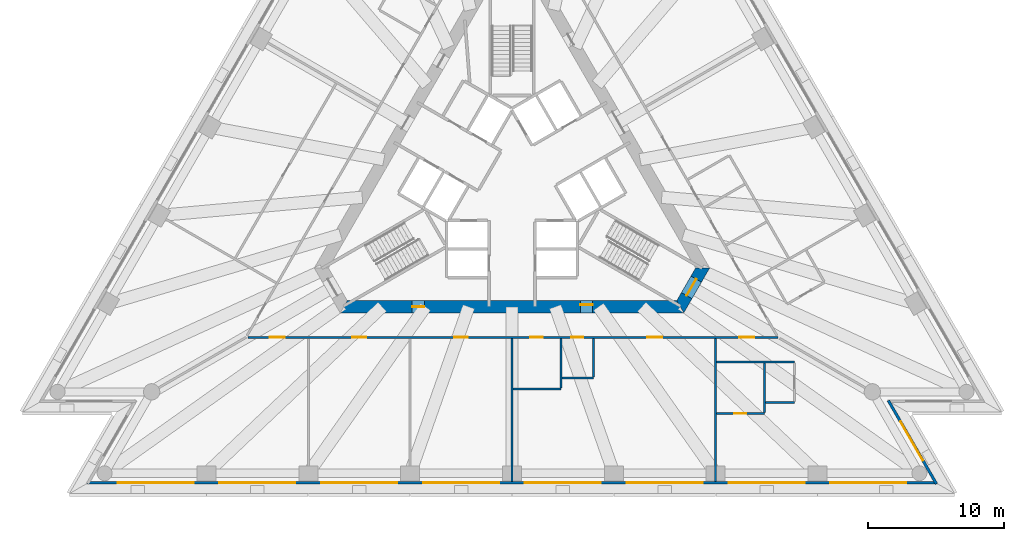
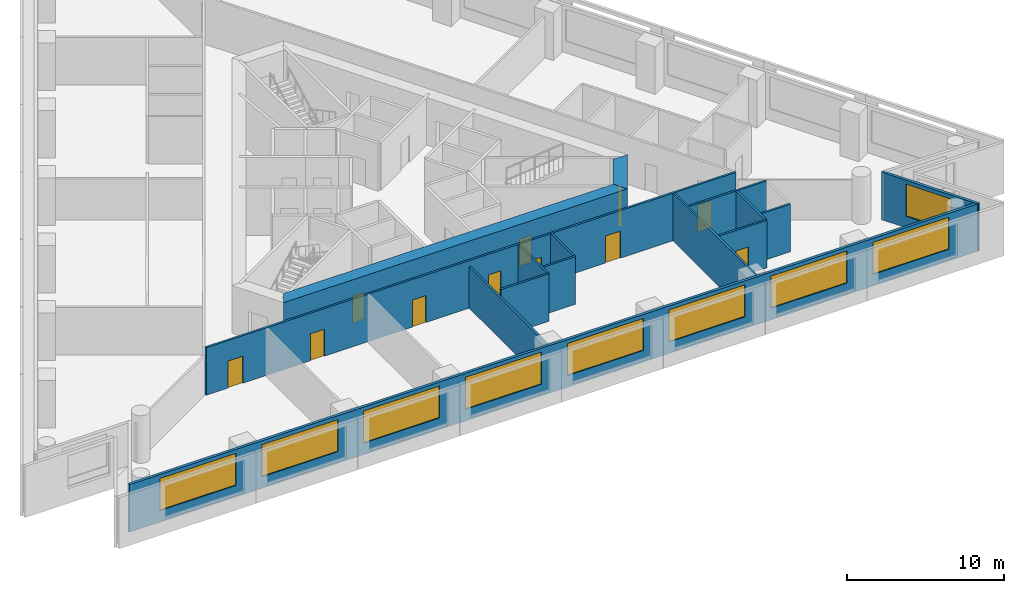
# One storey, part 4 of 9: 15 walls, 11 doors, 9 windows, 20 openings.
"""IFC4 building model written with IfcOpenShell, lengths in metres."""

from ifc_helpers import new_model, si_unit, direction, frame, frame_2d, origin, place, context, subcontext, project, spatial, polyline, rectangle, outline, extrude, material, layer, layer_set, layer_usage, type_object, element, fill, save


model = new_model("IFC4")

# Units and contexts
model_context = context("Model", 3, precision=1e-05, world=origin(), true_north=direction((0.0, 1.0)))
body_context = subcontext(model_context, "Body", "Model", "MODEL_VIEW")
ifc_project = project(units=[si_unit("LENGTHUNIT", "METRE"), si_unit("AREAUNIT", "SQUARE_METRE"), si_unit("VOLUMEUNIT", "CUBIC_METRE"), si_unit("PLANEANGLEUNIT", "RADIAN"), si_unit("MASSUNIT", "GRAM", prefix="KILO")], contexts=[model_context])

# Site, building, storey
site_placement = place(None, origin())
site = spatial("IfcSite", under=ifc_project, at=site_placement, CompositionType="ELEMENT")
building_placement = place(site_placement, origin())
building = spatial("IfcBuilding", under=site, at=building_placement, Name="Triada Interchange Tower", CompositionType="ELEMENT")
storey_placement = place(building_placement, frame((0.0, 0.0, 51.300048828125)))
storey = spatial("IfcBuildingStorey", under=building, at=storey_placement, Name="L10", CompositionType="ELEMENT", Elevation=51.300048828125)

# Wall, openings, doors
ifc_material_1 = material(Name="Concrete C70/85", Category="concrete")
ifc_layer_1 = layer(ifc_material_1, 0.89990234375)
ifc_layer_set_1 = layer_set([ifc_layer_1], Name="Core wall A 900")
wall_type_1 = type_object("IfcWallType", Name="Core wall A 900", PredefinedType="SHEAR", material=ifc_layer_set_1)
wall_1_placement = place(storey_placement, frame((-12.384033203125, -9.050048828125, -0.300048828125), z_axis=(0.0, 0.0, 1.0), x_axis=(1.0, 0.0, 0.0)))
wall_1 = element("IfcWall", 1, at=wall_1_placement, inside=storey, type_object=wall_type_1, Name="Core wall WA04 L10", PredefinedType="SHEAR", context=body_context, shape_type="SweptSolid", body=[
    extrude(outline(polyline([(-0.260009765625, -0.449951171875), (1.685302734375, -0.449951171875), (3.63037109375, -0.449951171875), (5.57568359375, -0.449951171875), (7.52099609375, -0.449951171875), (9.466064453125, -0.449951171875), (11.411376953125, -0.449951171875), (13.356689453125, -0.449951171875), (15.302001953125, -0.449951171875), (17.2470703125, -0.449951171875), (19.1923828125, -0.449951171875), (21.1376953125, -0.449951171875), (23.082763671875, -0.449951171875), (25.028076171875, -0.449951171875), (24.508056640625, 0.449951171875), (22.642822265625, 0.449951171875), (20.777587890625, 0.449951171875), (18.912353515625, 0.449951171875), (17.047119140625, 0.449951171875), (15.181884765625, 0.449951171875), (13.316650390625, 0.449951171875), (11.451416015625, 0.449951171875), (9.586181640625, 0.449951171875), (7.720947265625, 0.449951171875), (5.855712890625, 0.449951171875), (3.990478515625, 0.449951171875), (2.125244140625, 0.449951171875), (0.260009765625, 0.449951171875), (-0.260009765625, -0.449951171875)])), origin(), (0.0, 0.0, 1.0), 4.0),
])
opening_1_placement = place(wall_1_placement, frame((5.0400390625, 0.0, 0.300048828125)))
opening_1 = element("IfcOpeningElement", 2, at=opening_1_placement, cuts=wall_1, Name="Opening D09-40", PredefinedType="OPENING", context=body_context, shape_type="SweptSolid", body=[
    extrude(rectangle(XDim=0.89990234375, YDim=2.10009765625, at=frame_2d((0.449951171875, 1.050048828125))), frame((0.0, 0.4599609375, 0.0), z_axis=(0.0, -1.0, 0.0), x_axis=(1.0, 0.0, 0.0)), (0.0, 0.0, 1.0), 0.919921875),
])
opening_2_placement = place(wall_1_placement, frame((17.425048828125, 0.0, 0.300048828125)))
opening_2 = element("IfcOpeningElement", 3, at=opening_2_placement, cuts=wall_1, Name="Opening D09-41", PredefinedType="OPENING", context=body_context, shape_type="SweptSolid", body=[
    extrude(rectangle(XDim=0.89990234375, YDim=2.10009765625, at=frame_2d((0.449951171875, 1.050048828125))), frame((0.0, 0.4599609375, 0.0), z_axis=(0.0, -1.0, 0.0), x_axis=(1.0, 0.0, 0.0)), (0.0, 0.0, 1.0), 0.919921875),
])
ifc_material_2 = material(Name="Steel S235 door leaf", Category="steel")
door_type_1 = type_object("IfcDoorType", Name="SERVICE DOOR 900 EI2 45-C5S200", OperationType="NOTDEFINED", PredefinedType="DOOR", material=ifc_material_2)
door_1_placement = place(opening_1_placement, origin())
door_1 = element("IfcDoor", 4, at=door_1_placement, inside=storey, type_object=door_type_1, Name="Door D09-40 L10", OperationType="SINGLE_SWING_LEFT", OverallHeight=2.10009765625, OverallWidth=0.89990234375, PredefinedType="DOOR", context=body_context, shape_type="SweptSolid", body=[
    extrude(rectangle(XDim=0.89990234375, YDim=2.10009765625, at=frame_2d((0.449951171875, 1.050048828125))), frame((0.0, 0.02490234375, 0.0), z_axis=(0.0, -1.0, 0.0), x_axis=(1.0, 0.0, 0.0)), (0.0, 0.0, 1.0), 0.050048828125),
])
fill(opening_1, door_1)
door_2_placement = place(opening_2_placement, origin())
door_2 = element("IfcDoor", 5, at=door_2_placement, inside=storey, type_object=door_type_1, Name="Door D09-41 L10", OperationType="SINGLE_SWING_LEFT", OverallHeight=2.10009765625, OverallWidth=0.89990234375, PredefinedType="DOOR", context=body_context, shape_type="SweptSolid", body=[
    extrude(rectangle(XDim=0.89990234375, YDim=2.10009765625, at=frame_2d((0.449951171875, 1.050048828125))), frame((0.0, 0.1748046875, 0.0), z_axis=(0.0, -1.0, 0.0), x_axis=(1.0, 0.0, 0.0)), (0.0, 0.0, 1.0), 0.050048828125),
])
fill(opening_2, door_2)

# Wall, opening, door
wall_2_placement = place(storey_placement, frame((12.384033203125, -9.050048828125, -0.300048828125), z_axis=(0.0, 0.0, 1.0), x_axis=(0.500111984565, 0.865960739811, 0.0)))
wall_2 = element("IfcWall", 6, at=wall_2_placement, inside=storey, type_object=wall_type_1, Name="Core wall WA05 L10", PredefinedType="SHEAR", context=body_context, shape_type="SweptSolid", body=[
    extrude(outline(polyline([(-0.260009765625, -0.449951171875), (1.6455078125, -0.449462890625), (3.551025390625, -0.448974609375), (3.031005859375, 0.449951171875), (1.6455078125, 0.449951171875), (0.260009765625, 0.449951171875), (-0.260009765625, -0.449951171875)])), origin(), (0.0, 0.0, 1.0), 4.0),
])
opening_3_placement = place(wall_2_placement, frame((0.946044921875, 0.0, 0.300048828125)))
opening_3 = element("IfcOpeningElement", 7, at=opening_3_placement, cuts=wall_2, Name="Opening D09-38", PredefinedType="OPENING", context=body_context, shape_type="SweptSolid", body=[
    extrude(rectangle(XDim=1.39990234375, YDim=2.10009765625, at=frame_2d((0.699951171875, 1.050048828125))), frame((0.0, 0.4599609375, 0.0), z_axis=(0.0, -1.0, 0.0), x_axis=(1.0, 0.0, 0.0)), (0.0, 0.0, 1.0), 0.919921875),
])
door_type_2 = type_object("IfcDoorType", Name="STAIR DOOR 1400 EI2 90-C5S200", OperationType="DOUBLE_DOOR_SINGLE_SWING", PredefinedType="DOOR", material=ifc_material_2)
door_3_placement = place(opening_3_placement, origin())
door_3 = element("IfcDoor", 8, at=door_3_placement, inside=storey, type_object=door_type_2, Name="Door D09-38 L10", OperationType="DOUBLE_DOOR_SINGLE_SWING", OverallHeight=2.10009765625, OverallWidth=1.39990234375, PredefinedType="DOOR", context=body_context, shape_type="SweptSolid", body=[
    extrude(rectangle(XDim=1.39990234375, YDim=2.10009765625, at=frame_2d((0.699951171875, 1.050048828125))), frame((0.0, 0.02490234375, 0.0), z_axis=(0.0, -1.0, 0.0), x_axis=(1.0, 0.0, 0.0)), (0.0, 0.0, 1.0), 0.050048828125),
])
fill(opening_3, door_3)

# Wall, openings, windows
ifc_material_3 = material(Name="Cement board")
ifc_layer_2 = layer(ifc_material_3, 0.02001953125, Name="Cement board cladding")
ifc_material_4 = material(Name="Sheathing board")
ifc_layer_3 = layer(ifc_material_4, 0.014892578125, Name="Sheathing board")
ifc_material_5 = material(Name="Mineral wool")
ifc_layer_4 = layer(ifc_material_5, 0.14990234375, Name="Mineral wool between steel studs")
ifc_material_6 = material(Name="Gypsum board")
ifc_layer_5 = layer(ifc_material_6, 0.014892578125, Name="Plasterboard lining")
ifc_layer_set_2 = layer_set([ifc_layer_2, ifc_layer_3, ifc_layer_4, ifc_layer_5], Name="External wall 200")
ifc_layer_usage = layer_usage(ifc_layer_set_2, "AXIS2", "POSITIVE", -0.10009765625)
wall_type_2 = type_object("IfcWallType", Name="External wall 200", PredefinedType="ELEMENTEDWALL", material=ifc_layer_set_2)
wall_3_placement = place(storey_placement, frame((-31.283935546875, -22.007080078125, 0.0), z_axis=(0.0, 0.0, 1.0), x_axis=(1.0, 0.0, 0.0)))
wall_3 = element("IfcWall", 9, at=wall_3_placement, inside=storey, type_object=wall_type_2, material=ifc_layer_usage, Name="External wall L10 S", PredefinedType="ELEMENTEDWALL", context=body_context, shape_type="SweptSolid", body=[
    extrude(rectangle(XDim=62.5478515625, YDim=0.199951171875, at=frame_2d((31.27392578125, 0.0))), origin(), (0.0, 0.0, 1.0), 3.699951171875),
])
opening_4_placement = place(wall_3_placement, frame((2.2509765625, 0.0, 0.89990234375)))
opening_4 = element("IfcOpeningElement", 10, at=opening_4_placement, cuts=wall_3, Name="Opening WA11", PredefinedType="OPENING", context=body_context, shape_type="SweptSolid", body=[
    extrude(rectangle(XDim=5.60009765625, YDim=2.5, at=frame_2d((2.800048828125, 1.25))), frame((0.0, 0.10986328125, 0.0), z_axis=(0.0, -1.0, 0.0), x_axis=(1.0, 0.0, 0.0)), (0.0, 0.0, 1.0), 0.219970703125),
])
opening_5_placement = place(wall_3_placement, frame((9.74609375, 0.0, 0.89990234375)))
opening_5 = element("IfcOpeningElement", 11, at=opening_5_placement, cuts=wall_3, Name="Opening WA12", PredefinedType="OPENING", context=body_context, shape_type="SweptSolid", body=[
    extrude(rectangle(XDim=5.60009765625, YDim=2.5, at=frame_2d((2.800048828125, 1.25))), frame((0.0, 0.10986328125, 0.0), z_axis=(0.0, -1.0, 0.0), x_axis=(1.0, 0.0, 0.0)), (0.0, 0.0, 1.0), 0.219970703125),
])
opening_6_placement = place(wall_3_placement, frame((17.240966796875, 0.0, 0.89990234375)))
opening_6 = element("IfcOpeningElement", 12, at=opening_6_placement, cuts=wall_3, Name="Opening WA13", PredefinedType="OPENING", context=body_context, shape_type="SweptSolid", body=[
    extrude(rectangle(XDim=5.60009765625, YDim=2.5, at=frame_2d((2.800048828125, 1.25))), frame((0.0, 0.10986328125, 0.0), z_axis=(0.0, -1.0, 0.0), x_axis=(1.0, 0.0, 0.0)), (0.0, 0.0, 1.0), 0.219970703125),
])
opening_7_placement = place(wall_3_placement, frame((24.736083984375, 0.0, 0.89990234375)))
opening_7 = element("IfcOpeningElement", 13, at=opening_7_placement, cuts=wall_3, Name="Opening WA14", PredefinedType="OPENING", context=body_context, shape_type="SweptSolid", body=[
    extrude(rectangle(XDim=5.60009765625, YDim=2.5, at=frame_2d((2.800048828125, 1.25))), frame((0.0, 0.10986328125, 0.0), z_axis=(0.0, -1.0, 0.0), x_axis=(1.0, 0.0, 0.0)), (0.0, 0.0, 1.0), 0.219970703125),
])
opening_8_placement = place(wall_3_placement, frame((32.23193359375, 0.0, 0.89990234375)))
opening_8 = element("IfcOpeningElement", 14, at=opening_8_placement, cuts=wall_3, Name="Opening WA15", PredefinedType="OPENING", context=body_context, shape_type="SweptSolid", body=[
    extrude(rectangle(XDim=5.60009765625, YDim=2.5, at=frame_2d((2.800048828125, 1.25))), frame((0.0, 0.10986328125, 0.0), z_axis=(0.0, -1.0, 0.0), x_axis=(1.0, 0.0, 0.0)), (0.0, 0.0, 1.0), 0.219970703125),
])
opening_9_placement = place(wall_3_placement, frame((39.72705078125, 0.0, 0.89990234375)))
opening_9 = element("IfcOpeningElement", 15, at=opening_9_placement, cuts=wall_3, Name="Opening WA16", PredefinedType="OPENING", context=body_context, shape_type="SweptSolid", body=[
    extrude(rectangle(XDim=5.60009765625, YDim=2.5, at=frame_2d((2.800048828125, 1.25))), frame((0.0, 0.10986328125, 0.0), z_axis=(0.0, -1.0, 0.0), x_axis=(1.0, 0.0, 0.0)), (0.0, 0.0, 1.0), 0.219970703125),
])
opening_10_placement = place(wall_3_placement, frame((47.221923828125, 0.0, 0.89990234375)))
opening_10 = element("IfcOpeningElement", 16, at=opening_10_placement, cuts=wall_3, Name="Opening WA17", PredefinedType="OPENING", context=body_context, shape_type="SweptSolid", body=[
    extrude(rectangle(XDim=5.60009765625, YDim=2.5, at=frame_2d((2.800048828125, 1.25))), frame((0.0, 0.10986328125, 0.0), z_axis=(0.0, -1.0, 0.0), x_axis=(1.0, 0.0, 0.0)), (0.0, 0.0, 1.0), 0.219970703125),
])
opening_11_placement = place(wall_3_placement, frame((54.717041015625, 0.0, 0.89990234375)))
opening_11 = element("IfcOpeningElement", 17, at=opening_11_placement, cuts=wall_3, Name="Opening WA18", PredefinedType="OPENING", context=body_context, shape_type="SweptSolid", body=[
    extrude(rectangle(XDim=5.60009765625, YDim=2.5, at=frame_2d((2.800048828125, 1.25))), frame((0.0, 0.10986328125, 0.0), z_axis=(0.0, -1.0, 0.0), x_axis=(1.0, 0.0, 0.0)), (0.0, 0.0, 1.0), 0.219970703125),
])
ifc_material_7 = material(Name="Double glazed aluminium window", Category="aluminium")
window_type_1 = type_object("IfcWindowType", Name="Ribbon window A face", PartitioningType="SINGLE_PANEL", PredefinedType="WINDOW", material=ifc_material_7)
window_1_placement = place(opening_4_placement, origin())
window_1 = element("IfcWindow", 18, at=window_1_placement, inside=storey, type_object=window_type_1, Name="Window L10 S 1", OverallHeight=2.5, OverallWidth=5.60009765625, PartitioningType="SINGLE_PANEL", PredefinedType="WINDOW", context=body_context, shape_type="SweptSolid", body=[
    extrude(rectangle(XDim=5.60009765625, YDim=2.5, at=frame_2d((2.800048828125, 1.25))), frame((0.0, 0.030029296875, 0.0), z_axis=(0.0, -1.0, 0.0), x_axis=(1.0, 0.0, 0.0)), (0.0, 0.0, 1.0), 0.06005859375),
])
fill(opening_4, window_1)
window_2_placement = place(opening_5_placement, origin())
window_2 = element("IfcWindow", 19, at=window_2_placement, inside=storey, type_object=window_type_1, Name="Window L10 S 2", OverallHeight=2.5, OverallWidth=5.60009765625, PartitioningType="SINGLE_PANEL", PredefinedType="WINDOW", context=body_context, shape_type="SweptSolid", body=[
    extrude(rectangle(XDim=5.60009765625, YDim=2.5, at=frame_2d((2.800048828125, 1.25))), frame((0.0, 0.030029296875, 0.0), z_axis=(0.0, -1.0, 0.0), x_axis=(1.0, 0.0, 0.0)), (0.0, 0.0, 1.0), 0.06005859375),
])
fill(opening_5, window_2)
window_3_placement = place(opening_6_placement, origin())
window_3 = element("IfcWindow", 20, at=window_3_placement, inside=storey, type_object=window_type_1, Name="Window L10 S 3", OverallHeight=2.5, OverallWidth=5.60009765625, PartitioningType="SINGLE_PANEL", PredefinedType="WINDOW", context=body_context, shape_type="SweptSolid", body=[
    extrude(rectangle(XDim=5.60009765625, YDim=2.5, at=frame_2d((2.800048828125, 1.25))), frame((0.0, 0.030029296875, 0.0), z_axis=(0.0, -1.0, 0.0), x_axis=(1.0, 0.0, 0.0)), (0.0, 0.0, 1.0), 0.06005859375),
])
fill(opening_6, window_3)
window_4_placement = place(opening_7_placement, origin())
window_4 = element("IfcWindow", 21, at=window_4_placement, inside=storey, type_object=window_type_1, Name="Window L10 S 4", OverallHeight=2.5, OverallWidth=5.60009765625, PartitioningType="SINGLE_PANEL", PredefinedType="WINDOW", context=body_context, shape_type="SweptSolid", body=[
    extrude(rectangle(XDim=5.60009765625, YDim=2.5, at=frame_2d((2.800048828125, 1.25))), frame((0.0, 0.030029296875, 0.0), z_axis=(0.0, -1.0, 0.0), x_axis=(1.0, 0.0, 0.0)), (0.0, 0.0, 1.0), 0.06005859375),
])
fill(opening_7, window_4)
window_5_placement = place(opening_8_placement, origin())
window_5 = element("IfcWindow", 22, at=window_5_placement, inside=storey, type_object=window_type_1, Name="Window L10 S 5", OverallHeight=2.5, OverallWidth=5.60009765625, PartitioningType="SINGLE_PANEL", PredefinedType="WINDOW", context=body_context, shape_type="SweptSolid", body=[
    extrude(rectangle(XDim=5.60009765625, YDim=2.5, at=frame_2d((2.800048828125, 1.25))), frame((0.0, 0.030029296875, 0.0), z_axis=(0.0, -1.0, 0.0), x_axis=(1.0, 0.0, 0.0)), (0.0, 0.0, 1.0), 0.06005859375),
])
fill(opening_8, window_5)
window_6_placement = place(opening_9_placement, origin())
window_6 = element("IfcWindow", 23, at=window_6_placement, inside=storey, type_object=window_type_1, Name="Window L10 S 6", OverallHeight=2.5, OverallWidth=5.60009765625, PartitioningType="SINGLE_PANEL", PredefinedType="WINDOW", context=body_context, shape_type="SweptSolid", body=[
    extrude(rectangle(XDim=5.60009765625, YDim=2.5, at=frame_2d((2.800048828125, 1.25))), frame((0.0, 0.030029296875, 0.0), z_axis=(0.0, -1.0, 0.0), x_axis=(1.0, 0.0, 0.0)), (0.0, 0.0, 1.0), 0.06005859375),
])
fill(opening_9, window_6)
window_7_placement = place(opening_10_placement, origin())
window_7 = element("IfcWindow", 24, at=window_7_placement, inside=storey, type_object=window_type_1, Name="Window L10 S 7", OverallHeight=2.5, OverallWidth=5.60009765625, PartitioningType="SINGLE_PANEL", PredefinedType="WINDOW", context=body_context, shape_type="SweptSolid", body=[
    extrude(rectangle(XDim=5.60009765625, YDim=2.5, at=frame_2d((2.800048828125, 1.25))), frame((0.0, 0.030029296875, 0.0), z_axis=(0.0, -1.0, 0.0), x_axis=(1.0, 0.0, 0.0)), (0.0, 0.0, 1.0), 0.06005859375),
])
fill(opening_10, window_7)
window_8_placement = place(opening_11_placement, origin())
window_8 = element("IfcWindow", 25, at=window_8_placement, inside=storey, type_object=window_type_1, Name="Window L10 S 8", OverallHeight=2.5, OverallWidth=5.60009765625, PartitioningType="SINGLE_PANEL", PredefinedType="WINDOW", context=body_context, shape_type="SweptSolid", body=[
    extrude(rectangle(XDim=5.60009765625, YDim=2.5, at=frame_2d((2.800048828125, 1.25))), frame((0.0, 0.030029296875, 0.0), z_axis=(0.0, -1.0, 0.0), x_axis=(1.0, 0.0, 0.0)), (0.0, 0.0, 1.0), 0.06005859375),
])
fill(opening_11, window_8)

# Wall, opening, window
wall_4_placement = place(storey_placement, frame((31.239013671875, -22.0849609375, 0.0), z_axis=(0.0, 0.0, 1.0), x_axis=(-0.499993928037, 0.866028909405, 0.0)))
wall_4 = element("IfcWall", 26, at=wall_4_placement, inside=storey, type_object=wall_type_2, material=ifc_layer_usage, Name="External wall L10 SE-1", PredefinedType="ELEMENTEDWALL", context=body_context, shape_type="SweptSolid", body=[
    extrude(rectangle(XDim=7.083984375, YDim=0.199951171875, at=frame_2d((3.5419921875, 0.0))), origin(), (0.0, 0.0, 1.0), 3.699951171875),
])
opening_12_placement = place(wall_4_placement, frame((1.989990234375, 0.0, 0.89990234375)))
opening_12 = element("IfcOpeningElement", 27, at=opening_12_placement, cuts=wall_4, Name="Opening WA19", PredefinedType="OPENING", context=body_context, shape_type="SweptSolid", body=[
    extrude(rectangle(XDim=3.300048828125, YDim=2.5, at=frame_2d((1.64990234375, 1.25))), frame((0.0, 0.10986328125, 0.0), z_axis=(0.0, -1.0, 0.0), x_axis=(1.0, 0.0, 0.0)), (0.0, 0.0, 1.0), 0.219970703125),
])
window_type_2 = type_object("IfcWindowType", Name="Ribbon window A pocket", PartitioningType="SINGLE_PANEL", PredefinedType="WINDOW", material=ifc_material_7)
window_9_placement = place(opening_12_placement, origin())
window_9 = element("IfcWindow", 28, at=window_9_placement, inside=storey, type_object=window_type_2, Name="Window L10 SE-1 1", OverallHeight=2.5, OverallWidth=3.300048828125, PartitioningType="SINGLE_PANEL", PredefinedType="WINDOW", context=body_context, shape_type="SweptSolid", body=[
    extrude(rectangle(XDim=3.300048828125, YDim=2.5, at=frame_2d((1.64990234375, 1.25))), frame((0.0, 0.030029296875, 0.0), z_axis=(0.0, -1.0, 0.0), x_axis=(1.0, 0.0, 0.0)), (0.0, 0.0, 1.0), 0.06005859375),
])
fill(opening_12, window_9)

# Wall, openings, doors
ifc_material_8 = material(Name="Gypsum board partition")
ifc_layer_6 = layer(ifc_material_8, 0.14990234375)
ifc_layer_set_3 = layer_set([ifc_layer_6], Name="PARTITION 150 EI 180")
wall_type_3 = type_object("IfcWallType", Name="PARTITION 150 EI 180", PredefinedType="PARTITIONING", material=ifc_layer_set_3)
wall_5_placement = place(storey_placement, frame((-19.422119140625, -11.300048828125, 0.0), z_axis=(0.0, 0.0, 1.0), x_axis=(1.0, 0.0, 0.0)))
wall_5 = element("IfcWall", 29, at=wall_5_placement, inside=storey, type_object=wall_type_3, Name="Wall L09 5", PredefinedType="PARTITIONING", context=body_context, shape_type="SweptSolid", body=[
    extrude(rectangle(XDim=38.994140625, YDim=0.14990234375, at=frame_2d((19.4970703125, 0.0))), origin(), (0.0, 0.0, 1.0), 3.699951171875),
])
opening_13_placement = place(wall_5_placement, frame((1.60009765625, 0.0, 0.0)))
opening_13 = element("IfcOpeningElement", 30, at=opening_13_placement, cuts=wall_5, Name="Opening D09-11", PredefinedType="OPENING", context=body_context, shape_type="SweptSolid", body=[
    extrude(rectangle(XDim=1.10009765625, YDim=2.10009765625, at=frame_2d((0.550048828125, 1.050048828125))), frame((0.0, 0.0849609375, 0.0), z_axis=(0.0, -1.0, 0.0), x_axis=(1.0, 0.0, 0.0)), (0.0, 0.0, 1.0), 0.169921875),
])
opening_14_placement = place(wall_5_placement, frame((7.681884765625, 0.0, 0.0)))
opening_14 = element("IfcOpeningElement", 31, at=opening_14_placement, cuts=wall_5, Name="Opening D09-12", PredefinedType="OPENING", context=body_context, shape_type="SweptSolid", body=[
    extrude(rectangle(XDim=1.0, YDim=2.10009765625, at=frame_2d((0.5, 1.050048828125))), frame((0.0, 0.0849609375, 0.0), z_axis=(0.0, -1.0, 0.0), x_axis=(1.0, 0.0, 0.0)), (0.0, 0.0, 1.0), 0.169921875),
])
opening_15_placement = place(wall_5_placement, frame((15.177001953125, 0.0, 0.0)))
opening_15 = element("IfcOpeningElement", 32, at=opening_15_placement, cuts=wall_5, Name="Opening D09-13", PredefinedType="OPENING", context=body_context, shape_type="SweptSolid", body=[
    extrude(rectangle(XDim=1.0, YDim=2.10009765625, at=frame_2d((0.5, 1.050048828125))), frame((0.0, 0.0849609375, 0.0), z_axis=(0.0, -1.0, 0.0), x_axis=(1.0, 0.0, 0.0)), (0.0, 0.0, 1.0), 0.169921875),
])
opening_16_placement = place(wall_5_placement, frame((29.3720703125, 0.0, 0.0)))
opening_16 = element("IfcOpeningElement", 33, at=opening_16_placement, cuts=wall_5, Name="Opening D09-14", PredefinedType="OPENING", context=body_context, shape_type="SweptSolid", body=[
    extrude(rectangle(XDim=1.10009765625, YDim=2.10009765625, at=frame_2d((0.550048828125, 1.050048828125))), frame((0.0, 0.0849609375, 0.0), z_axis=(0.0, -1.0, 0.0), x_axis=(1.0, 0.0, 0.0)), (0.0, 0.0, 1.0), 0.169921875),
])
opening_17_placement = place(wall_5_placement, frame((20.77197265625, 0.0, 0.0)))
opening_17 = element("IfcOpeningElement", 34, at=opening_17_placement, cuts=wall_5, Name="Opening D09-15", PredefinedType="OPENING", context=body_context, shape_type="SweptSolid", body=[
    extrude(rectangle(XDim=0.89990234375, YDim=2.10009765625, at=frame_2d((0.449951171875, 1.050048828125))), frame((0.0, 0.0849609375, 0.0), z_axis=(0.0, -1.0, 0.0), x_axis=(1.0, 0.0, 0.0)), (0.0, 0.0, 1.0), 0.169921875),
])
opening_18_placement = place(wall_5_placement, frame((23.77197265625, 0.0, 0.0)))
opening_18 = element("IfcOpeningElement", 35, at=opening_18_placement, cuts=wall_5, Name="Opening D09-16", PredefinedType="OPENING", context=body_context, shape_type="SweptSolid", body=[
    extrude(rectangle(XDim=0.89990234375, YDim=2.10009765625, at=frame_2d((0.449951171875, 1.050048828125))), frame((0.0, 0.0849609375, 0.0), z_axis=(0.0, -1.0, 0.0), x_axis=(1.0, 0.0, 0.0)), (0.0, 0.0, 1.0), 0.169921875),
])
opening_19_placement = place(wall_5_placement, frame((36.1630859375, 0.0, 0.0)))
opening_19 = element("IfcOpeningElement", 36, at=opening_19_placement, cuts=wall_5, Name="Opening D09-17", PredefinedType="OPENING", context=body_context, shape_type="SweptSolid", body=[
    extrude(rectangle(XDim=1.10009765625, YDim=2.10009765625, at=frame_2d((0.550048828125, 1.050048828125))), frame((0.0, 0.0849609375, 0.0), z_axis=(0.0, -1.0, 0.0), x_axis=(1.0, 0.0, 0.0)), (0.0, 0.0, 1.0), 0.169921875),
])
door_type_3 = type_object("IfcDoorType", Name="ROOM DOOR 1000 EI2 90-C5S200", OperationType="NOTDEFINED", PredefinedType="DOOR", material=ifc_material_2)
door_4_placement = place(opening_14_placement, origin())
door_4 = element("IfcDoor", 37, at=door_4_placement, inside=storey, type_object=door_type_3, Name="Door D09-12 L10", OperationType="SINGLE_SWING_RIGHT", OverallHeight=2.10009765625, OverallWidth=1.0, PredefinedType="DOOR", context=body_context, shape_type="SweptSolid", body=[
    extrude(rectangle(XDim=1.0, YDim=2.10009765625, at=frame_2d((0.5, 1.050048828125))), frame((0.0, 0.02490234375, 0.0), z_axis=(0.0, -1.0, 0.0), x_axis=(1.0, 0.0, 0.0)), (0.0, 0.0, 1.0), 0.050048828125),
])
fill(opening_14, door_4)
door_5_placement = place(opening_15_placement, origin())
door_5 = element("IfcDoor", 38, at=door_5_placement, inside=storey, type_object=door_type_3, Name="Door D09-13 L10", OperationType="SINGLE_SWING_RIGHT", OverallHeight=2.10009765625, OverallWidth=1.0, PredefinedType="DOOR", context=body_context, shape_type="SweptSolid", body=[
    extrude(rectangle(XDim=1.0, YDim=2.10009765625, at=frame_2d((0.5, 1.050048828125))), frame((0.0, 0.02490234375, 0.0), z_axis=(0.0, -1.0, 0.0), x_axis=(1.0, 0.0, 0.0)), (0.0, 0.0, 1.0), 0.050048828125),
])
fill(opening_15, door_5)
door_type_4 = type_object("IfcDoorType", Name="ROOM DOOR 900 EI2 90-C5S200", OperationType="NOTDEFINED", PredefinedType="DOOR", material=ifc_material_2)
door_6_placement = place(opening_17_placement, origin())
door_6 = element("IfcDoor", 39, at=door_6_placement, inside=storey, type_object=door_type_4, Name="Door D09-15 L10", OperationType="SINGLE_SWING_RIGHT", OverallHeight=2.10009765625, OverallWidth=0.89990234375, PredefinedType="DOOR", context=body_context, shape_type="SweptSolid", body=[
    extrude(rectangle(XDim=0.89990234375, YDim=2.10009765625, at=frame_2d((0.449951171875, 1.050048828125))), frame((0.0, 0.02490234375, 0.0), z_axis=(0.0, -1.0, 0.0), x_axis=(1.0, 0.0, 0.0)), (0.0, 0.0, 1.0), 0.050048828125),
])
fill(opening_17, door_6)
door_7_placement = place(opening_18_placement, origin())
door_7 = element("IfcDoor", 40, at=door_7_placement, inside=storey, type_object=door_type_4, Name="Door D09-16 L10", OperationType="SINGLE_SWING_RIGHT", OverallHeight=2.10009765625, OverallWidth=0.89990234375, PredefinedType="DOOR", context=body_context, shape_type="SweptSolid", body=[
    extrude(rectangle(XDim=0.89990234375, YDim=2.10009765625, at=frame_2d((0.449951171875, 1.050048828125))), frame((0.0, 0.02490234375, 0.0), z_axis=(0.0, -1.0, 0.0), x_axis=(1.0, 0.0, 0.0)), (0.0, 0.0, 1.0), 0.050048828125),
])
fill(opening_18, door_7)
door_type_5 = type_object("IfcDoorType", Name="TENANCY ENTRANCE DOOR 1100 EI2 90-C5S200", OperationType="NOTDEFINED", PredefinedType="DOOR", material=ifc_material_2)
door_8_placement = place(opening_13_placement, origin())
door_8 = element("IfcDoor", 41, at=door_8_placement, inside=storey, type_object=door_type_5, Name="Door D09-11 L10", OperationType="SINGLE_SWING_RIGHT", OverallHeight=2.10009765625, OverallWidth=1.10009765625, PredefinedType="DOOR", context=body_context, shape_type="SweptSolid", body=[
    extrude(rectangle(XDim=1.10009765625, YDim=2.10009765625, at=frame_2d((0.550048828125, 1.050048828125))), frame((0.0, 0.02490234375, 0.0), z_axis=(0.0, -1.0, 0.0), x_axis=(1.0, 0.0, 0.0)), (0.0, 0.0, 1.0), 0.050048828125),
])
fill(opening_13, door_8)
door_9_placement = place(opening_16_placement, origin())
door_9 = element("IfcDoor", 42, at=door_9_placement, inside=storey, type_object=door_type_5, Name="Door D09-14 L10", OperationType="SINGLE_SWING_RIGHT", OverallHeight=2.10009765625, OverallWidth=1.10009765625, PredefinedType="DOOR", context=body_context, shape_type="SweptSolid", body=[
    extrude(rectangle(XDim=1.10009765625, YDim=2.10009765625, at=frame_2d((0.550048828125, 1.050048828125))), frame((0.0, 0.02490234375, 0.0), z_axis=(0.0, -1.0, 0.0), x_axis=(1.0, 0.0, 0.0)), (0.0, 0.0, 1.0), 0.050048828125),
])
fill(opening_16, door_9)
door_10_placement = place(opening_19_placement, origin())
door_10 = element("IfcDoor", 43, at=door_10_placement, inside=storey, type_object=door_type_5, Name="Door D09-17 L10", OperationType="SINGLE_SWING_LEFT", OverallHeight=2.10009765625, OverallWidth=1.10009765625, PredefinedType="DOOR", context=body_context, shape_type="SweptSolid", body=[
    extrude(rectangle(XDim=1.10009765625, YDim=2.10009765625, at=frame_2d((0.550048828125, 1.050048828125))), frame((0.0, 0.02490234375, 0.0), z_axis=(0.0, -1.0, 0.0), x_axis=(1.0, 0.0, 0.0)), (0.0, 0.0, 1.0), 0.050048828125),
])
fill(opening_19, door_10)

# Walls
wall_6_placement = place(storey_placement, frame((0.0, -21.927001953125, 0.0), z_axis=(0.0, 0.0, 1.0), x_axis=(0.0, 1.0, 0.0)))
element("IfcWall", 44, at=wall_6_placement, inside=storey, type_object=wall_type_3, Name="Wall L09 15", PredefinedType="PARTITIONING", context=body_context, shape_type="SweptSolid", body=[
    extrude(rectangle(XDim=10.552001953125, YDim=0.14990234375, at=frame_2d((5.27587890625, 0.0))), origin(), (0.0, 0.0, 1.0), 3.199951171875),
])
wall_7_placement = place(storey_placement, frame((0.074951171875, -15.10009765625, 0.0), z_axis=(0.0, 0.0, 1.0), x_axis=(1.0, 0.0, 0.0)))
element("IfcWall", 45, at=wall_7_placement, inside=storey, type_object=wall_type_3, Name="Wall L09 17", PredefinedType="PARTITIONING", context=body_context, shape_type="SweptSolid", body=[
    extrude(rectangle(XDim=3.525146484375, YDim=0.14990234375, at=frame_2d((1.7626953125, 0.0))), origin(), (0.0, 0.0, 1.0), 3.699951171875),
])
wall_8_placement = place(storey_placement, frame((3.60009765625, -15.02490234375, 0.0), z_axis=(0.0, 0.0, 1.0), x_axis=(0.0, 1.0, 0.0)))
element("IfcWall", 46, at=wall_8_placement, inside=storey, type_object=wall_type_3, Name="Wall L09 18", PredefinedType="PARTITIONING", context=body_context, shape_type="SweptSolid", body=[
    extrude(rectangle(XDim=3.64990234375, YDim=0.14990234375, at=frame_2d((1.824951171875, 0.0))), origin(), (0.0, 0.0, 1.0), 3.699951171875),
])
wall_9_placement = place(storey_placement, frame((3.675048828125, -14.300048828125, 0.0), z_axis=(0.0, 0.0, 1.0), x_axis=(1.0, 0.0, 0.0)))
element("IfcWall", 47, at=wall_9_placement, inside=storey, type_object=wall_type_3, Name="Wall L09 20", PredefinedType="PARTITIONING", context=body_context, shape_type="SweptSolid", body=[
    extrude(rectangle(XDim=2.324951171875, YDim=0.14990234375, at=frame_2d((1.16259765625, 0.0))), origin(), (0.0, 0.0, 1.0), 3.699951171875),
])
wall_10_placement = place(storey_placement, frame((6.0, -14.22509765625, 0.0), z_axis=(0.0, 0.0, 1.0), x_axis=(0.0, 1.0, 0.0)))
element("IfcWall", 48, at=wall_10_placement, inside=storey, type_object=wall_type_3, Name="Wall L09 21", PredefinedType="PARTITIONING", context=body_context, shape_type="SweptSolid", body=[
    extrude(rectangle(XDim=2.85009765625, YDim=0.14990234375, at=frame_2d((1.425048828125, 0.0))), origin(), (0.0, 0.0, 1.0), 3.699951171875),
])
wall_11_placement = place(storey_placement, frame((14.990966796875, -21.927001953125, 0.0), z_axis=(0.0, 0.0, 1.0), x_axis=(0.0, 1.0, 0.0)))
element("IfcWall", 49, at=wall_11_placement, inside=storey, type_object=wall_type_3, Name="Wall L09 25", PredefinedType="PARTITIONING", context=body_context, shape_type="SweptSolid", body=[
    extrude(rectangle(XDim=10.552001953125, YDim=0.14990234375, at=frame_2d((5.27587890625, 0.0))), origin(), (0.0, 0.0, 1.0), 3.699951171875),
])

# Wall, opening, door
ifc_layer_7 = layer(ifc_material_8, 0.14990234375)
ifc_layer_set_4 = layer_set([ifc_layer_7], Name="PARTITION 150 EI 90")
wall_type_4 = type_object("IfcWallType", Name="PARTITION 150 EI 90", PredefinedType="PARTITIONING", material=ifc_layer_set_4)
wall_12_placement = place(storey_placement, frame((15.06591796875, -16.89990234375, 0.0), z_axis=(0.0, 0.0, 1.0), x_axis=(1.0, 0.0, 0.0)))
wall_12 = element("IfcWall", 50, at=wall_12_placement, inside=storey, type_object=wall_type_4, Name="Wall L09 29", PredefinedType="PARTITIONING", context=body_context, shape_type="SweptSolid", body=[
    extrude(rectangle(XDim=3.525146484375, YDim=0.14990234375, at=frame_2d((1.7626953125, 0.0))), origin(), (0.0, 0.0, 1.0), 3.699951171875),
])
opening_20_placement = place(wall_12_placement, frame((1.27490234375, 0.0, 0.0)))
opening_20 = element("IfcOpeningElement", 51, at=opening_20_placement, cuts=wall_12, Name="Opening D09-18", PredefinedType="OPENING", context=body_context, shape_type="SweptSolid", body=[
    extrude(rectangle(XDim=0.89990234375, YDim=2.10009765625, at=frame_2d((0.449951171875, 1.050048828125))), frame((0.0, 0.0849609375, 0.0), z_axis=(0.0, -1.0, 0.0), x_axis=(1.0, 0.0, 0.0)), (0.0, 0.0, 1.0), 0.169921875),
])
door_type_6 = type_object("IfcDoorType", Name="ROOM DOOR 900 EI2 45-C5S200", OperationType="NOTDEFINED", PredefinedType="DOOR", material=ifc_material_2)
door_11_placement = place(opening_20_placement, origin())
door_11 = element("IfcDoor", 52, at=door_11_placement, inside=storey, type_object=door_type_6, Name="Door D09-18 L10", OperationType="SINGLE_SWING_LEFT", OverallHeight=2.10009765625, OverallWidth=0.89990234375, PredefinedType="DOOR", context=body_context, shape_type="SweptSolid", body=[
    extrude(rectangle(XDim=0.89990234375, YDim=2.10009765625, at=frame_2d((0.449951171875, 1.050048828125))), frame((0.0, 0.02490234375, 0.0), z_axis=(0.0, -1.0, 0.0), x_axis=(1.0, 0.0, 0.0)), (0.0, 0.0, 1.0), 0.050048828125),
])
fill(opening_20, door_11)

# Walls
wall_13_placement = place(storey_placement, frame((18.591064453125, -16.824951171875, 0.0), z_axis=(0.0, 0.0, 1.0), x_axis=(0.0, 1.0, 0.0)))
element("IfcWall", 53, at=wall_13_placement, inside=storey, type_object=wall_type_4, Name="Wall L09 30", PredefinedType="PARTITIONING", context=body_context, shape_type="SweptSolid", body=[
    extrude(rectangle(XDim=3.64990234375, YDim=0.14990234375, at=frame_2d((1.824951171875, 0.0))), origin(), (0.0, 0.0, 1.0), 3.699951171875),
])
wall_14_placement = place(storey_placement, frame((15.06591796875, -13.10009765625, 0.0), z_axis=(0.0, 0.0, 1.0), x_axis=(1.0, 0.0, 0.0)))
element("IfcWall", 54, at=wall_14_placement, inside=storey, type_object=wall_type_4, Name="Wall L09 31", PredefinedType="PARTITIONING", context=body_context, shape_type="SweptSolid", body=[
    extrude(rectangle(XDim=5.72509765625, YDim=0.14990234375, at=frame_2d((2.862548828125, 0.0))), origin(), (0.0, 0.0, 1.0), 3.699951171875),
])
wall_15_placement = place(storey_placement, frame((18.666015625, -16.10009765625, 0.0), z_axis=(0.0, 0.0, 1.0), x_axis=(1.0, 0.0, 0.0)))
element("IfcWall", 55, at=wall_15_placement, inside=storey, type_object=wall_type_4, Name="Wall L09 32", PredefinedType="PARTITIONING", context=body_context, shape_type="SweptSolid", body=[
    extrude(rectangle(XDim=2.125, YDim=0.14990234375, at=frame_2d((1.0625, 0.0))), origin(), (0.0, 0.0, 1.0), 3.699951171875),
])

save(model, "model.ifc")
